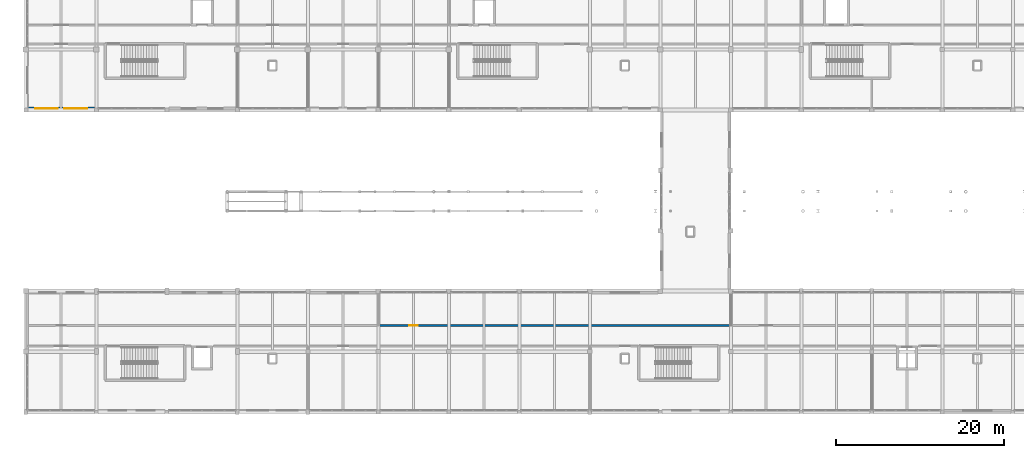
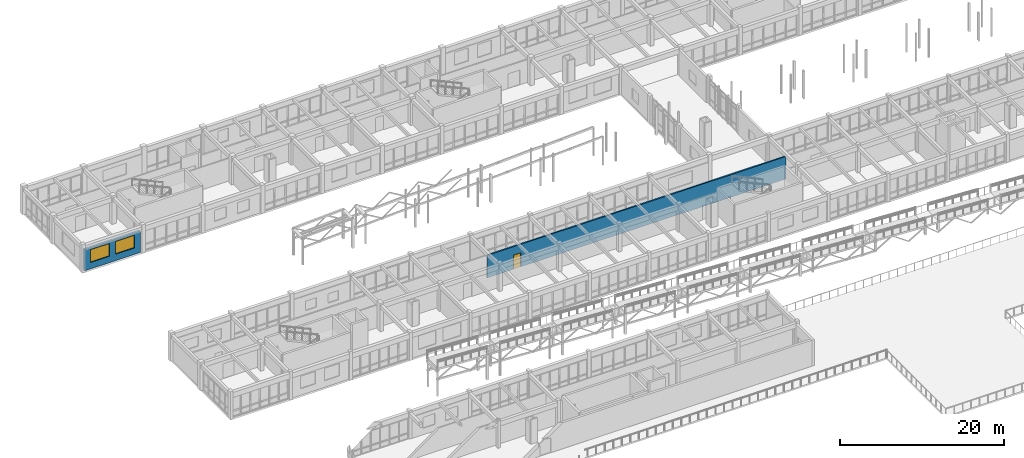
# One storey, part 75 of 89: 2 walls, 2 windows, 1 door, 3 openings.
"""IFC4 building model written with IfcOpenShell, lengths in metres."""

from ifc_helpers import new_model, si_unit, direction, frame, frame_2d, origin, place, context, subcontext, project, spatial, rectangle, extrude, material, layer, layer_set, type_object, element, fill, save


model = new_model("IFC4")

# Units and contexts
model_context = context("Model", 3, precision=1e-05, world=origin(), true_north=direction((0.0, 1.0)))
body_context = subcontext(model_context, "Body", "Model", "MODEL_VIEW")
ifc_project = project(units=[si_unit("LENGTHUNIT", "METRE"), si_unit("AREAUNIT", "SQUARE_METRE"), si_unit("VOLUMEUNIT", "CUBIC_METRE"), si_unit("PLANEANGLEUNIT", "RADIAN"), si_unit("MASSUNIT", "GRAM", prefix="KILO")], contexts=[model_context])

# Site, building, storey
site_placement = place(None, origin())
site = spatial("IfcSite", under=ifc_project, at=site_placement, CompositionType="ELEMENT")
building_placement = place(site_placement, origin())
building = spatial("IfcBuilding", under=site, at=building_placement, Name="Malvenik Polytechnic", CompositionType="ELEMENT")
storey_placement = place(building_placement, frame((0.0, 0.0, 13.5)))
storey = spatial("IfcBuildingStorey", under=building, at=storey_placement, Name="L03", CompositionType="ELEMENT", Elevation=13.5)

# Wall, openings, windows
ifc_material_1 = material(Name="Brick masonry M15", Category="masonry")
ifc_layer_1 = layer(ifc_material_1, 0.31005859375)
ifc_layer_set_1 = layer_set([ifc_layer_1], Name="Brick masonry M15")
wall_type_1 = type_object("IfcWallType", Name="ARC-EW-310", PredefinedType="SOLIDWALL", material=ifc_layer_set_1)
wall_1_placement = place(storey_placement, frame((8.152099609375, 115.3701171875, 0.0), z_axis=(0.0, 0.0, 1.0), x_axis=(-1.0, 0.0, 0.0)))
wall_1 = element("IfcWall", 1, at=wall_1_placement, inside=storey, type_object=wall_type_1, Name="External Facade Wall EW-03 L03 #386", PredefinedType="SOLIDWALL", context=body_context, shape_type="SweptSolid", body=[
    extrude(rectangle(XDim=7.904052734375, YDim=0.31005859375, at=frame_2d((3.9521484375, 0.0))), origin(), (0.0, 0.0, 1.0), 3.159912109375),
])
opening_1_placement = place(wall_1_placement, frame((0.85009765625, 0.0, 0.949951171875)))
opening_1 = element("IfcOpeningElement", 2, at=opening_1_placement, cuts=wall_1, Name="Opening W-27", PredefinedType="OPENING", context=body_context, shape_type="SweptSolid", body=[
    extrude(rectangle(XDim=2.699951171875, YDim=1.89990234375, at=frame_2d((1.35009765625, 0.949951171875))), frame((0.0, 0.1650390625, 0.0), z_axis=(0.0, -1.0, 0.0), x_axis=(1.0, 0.0, 0.0)), (0.0, 0.0, 1.0), 0.330078125),
])
opening_2_placement = place(wall_1_placement, frame((4.35400390625, 0.0, 0.949951171875)))
opening_2 = element("IfcOpeningElement", 3, at=opening_2_placement, cuts=wall_1, Name="Opening W-27", PredefinedType="OPENING", context=body_context, shape_type="SweptSolid", body=[
    extrude(rectangle(XDim=2.699951171875, YDim=1.89990234375, at=frame_2d((1.35009765625, 0.949951171875))), frame((0.0, 0.1650390625, 0.0), z_axis=(0.0, -1.0, 0.0), x_axis=(1.0, 0.0, 0.0)), (0.0, 0.0, 1.0), 0.330078125),
])
ifc_material_2 = material(Name="Thermally broken aluminium frame with low-E double glazing", Category="aluminium")
window_type = type_object("IfcWindowType", Name="ARC-WIN-W-27", PartitioningType="SINGLE_PANEL", PredefinedType="WINDOW", material=ifc_material_2)
window_1_placement = place(opening_1_placement, origin())
window_1 = element("IfcWindow", 4, at=window_1_placement, inside=storey, type_object=window_type, Name="Punched Window W-27 L03 #390", OverallHeight=1.89990234375, OverallWidth=2.699951171875, PartitioningType="SINGLE_PANEL", PredefinedType="WINDOW", context=body_context, shape_type="SweptSolid", body=[
    extrude(rectangle(XDim=2.699951171875, YDim=1.89990234375, at=frame_2d((1.35009765625, 0.949951171875))), frame((0.0, 0.030029296875, 0.0), z_axis=(0.0, -1.0, 0.0), x_axis=(1.0, 0.0, 0.0)), (0.0, 0.0, 1.0), 0.06005859375),
])
fill(opening_1, window_1)
window_2_placement = place(opening_2_placement, origin())
window_2 = element("IfcWindow", 5, at=window_2_placement, inside=storey, type_object=window_type, Name="Punched Window W-27 L03 #391", OverallHeight=1.89990234375, OverallWidth=2.699951171875, PartitioningType="SINGLE_PANEL", PredefinedType="WINDOW", context=body_context, shape_type="SweptSolid", body=[
    extrude(rectangle(XDim=2.699951171875, YDim=1.89990234375, at=frame_2d((1.35009765625, 0.949951171875))), frame((0.0, 0.030029296875, 0.0), z_axis=(0.0, -1.0, 0.0), x_axis=(1.0, 0.0, 0.0)), (0.0, 0.0, 1.0), 0.06005859375),
])
fill(opening_2, window_2)

# Wall, opening, door
ifc_material_3 = material(Name="Calcium silicate fire-rated blockwork 200mm", Category="masonry")
ifc_layer_2 = layer(ifc_material_3, 0.199951171875)
ifc_layer_set_2 = layer_set([ifc_layer_2], Name="Calcium silicate fire-rated blockwork 200mm")
wall_type_2 = type_object("IfcWallType", Name="ARC-FW-200", PredefinedType="SOLIDWALL", material=ifc_layer_set_2)
wall_2_placement = place(storey_placement, frame((42.0, 89.5, 0.0), z_axis=(0.0, 0.0, 1.0), x_axis=(1.0, 0.0, 0.0)))
wall_2 = element("IfcWall", 6, at=wall_2_placement, inside=storey, type_object=wall_type_2, Name="Interior Partition FW-02 L03 #328", PredefinedType="SOLIDWALL", context=body_context, shape_type="SweptSolid", body=[
    extrude(rectangle(XDim=42.0, YDim=0.199951171875, at=frame_2d((21.0, 0.0))), origin(), (0.0, 0.0, 1.0), 3.35498046875),
])
opening_3_placement = place(wall_2_placement, frame((3.699951171875, 0.0, 0.0)))
opening_3 = element("IfcOpeningElement", 7, at=opening_3_placement, cuts=wall_2, Name="Opening FD-07", PredefinedType="OPENING", context=body_context, shape_type="SweptSolid", body=[
    extrude(rectangle(XDim=1.0, YDim=2.10009765625, at=frame_2d((0.5, 1.050048828125))), frame((0.0, 0.10986328125, 0.0), z_axis=(0.0, -1.0, 0.0), x_axis=(1.0, 0.0, 0.0)), (0.0, 0.0, 1.0), 0.219970703125),
])
ifc_material_4 = material(Name="Fire-rated washroom corridor door", Category="steel")
door_type = type_object("IfcDoorType", Name="ARC-IDR-FD-07", OperationType="NOTDEFINED", PredefinedType="DOOR", material=ifc_material_4)
door_placement = place(opening_3_placement, origin())
door = element("IfcDoor", 8, at=door_placement, inside=storey, type_object=door_type, Name="Interior Door FD-07 L03 #140", OperationType="SINGLE_SWING_RIGHT", OverallHeight=2.10009765625, OverallWidth=1.0, PredefinedType="DOOR", context=body_context, shape_type="SweptSolid", body=[
    extrude(rectangle(XDim=1.0, YDim=2.10009765625, at=frame_2d((0.5, 1.050048828125))), frame((0.0, 0.02490234375, 0.0), z_axis=(0.0, -1.0, 0.0), x_axis=(1.0, 0.0, 0.0)), (0.0, 0.0, 1.0), 0.050048828125),
])
fill(opening_3, door)

save(model, "model.ifc")
